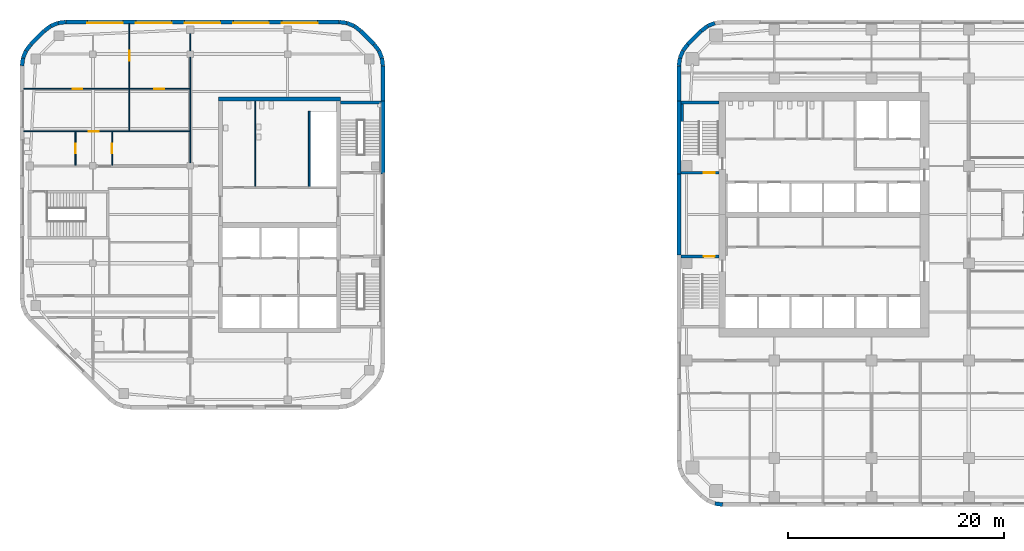
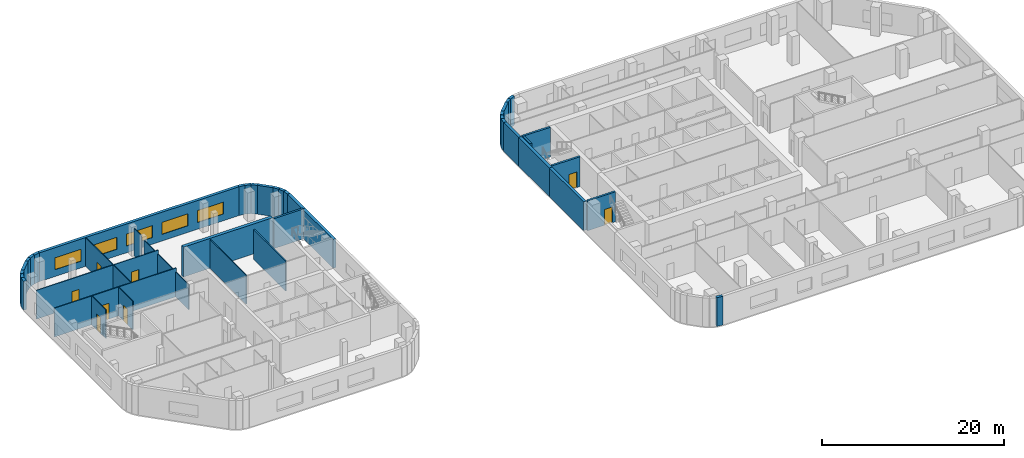
# One storey, part 7 of 15: 45 walls, 8 doors, 5 windows, 13 openings.
"""IFC4 building model written with IfcOpenShell, lengths in metres."""

from ifc_helpers import new_model, si_unit, direction, frame, frame_2d, origin, place, context, subcontext, project, spatial, rectangle, extrude, material, layer, layer_set, type_object, element, fill, save


model = new_model("IFC4")

# Units and contexts
model_context = context("Model", 3, precision=1e-05, world=origin(), true_north=direction((0.0, 1.0)))
body_context = subcontext(model_context, "Body", "Model", "MODEL_VIEW")
ifc_project = project(units=[si_unit("LENGTHUNIT", "METRE"), si_unit("AREAUNIT", "SQUARE_METRE"), si_unit("VOLUMEUNIT", "CUBIC_METRE"), si_unit("PLANEANGLEUNIT", "RADIAN"), si_unit("MASSUNIT", "GRAM", prefix="KILO")], contexts=[model_context])

# Site, building, storey
site_placement = place(None, origin())
site = spatial("IfcSite", under=ifc_project, at=site_placement, CompositionType="ELEMENT")
building_placement = place(site_placement, origin())
building = spatial("IfcBuilding", under=site, at=building_placement, Name="Cinnabar Reach Civic Tower", CompositionType="ELEMENT")
storey_placement = place(building_placement, frame((0.0, 0.0, 120.0)))
storey = spatial("IfcBuildingStorey", under=building, at=storey_placement, Name="L28", CompositionType="ELEMENT", Elevation=120.0)

# Walls
ifc_material_1 = material(Name="Facing brick with insulated backing", Category="masonry")
ifc_layer_1 = layer(ifc_material_1, 0.36)
ifc_layer_set_1 = layer_set([ifc_layer_1], Name="Brick corner wall")
wall_type_1 = type_object("IfcWallType", Name="Brick corner wall", PredefinedType="STANDARD", material=ifc_layer_set_1)
wall_1_placement = place(storey_placement, frame((3.5027, 49.2181, 0.0), z_axis=(0.0, 0.0, 1.0), x_axis=(-0.923871547278, -0.382702709855, 0.0)))
element("IfcWall", 1, at=wall_1_placement, inside=storey, type_object=wall_type_1, Name="Brick corner wall", PredefinedType="STANDARD", context=body_context, shape_type="SweptSolid", body=[
    extrude(rectangle(XDim=0.7131, YDim=0.36, at=frame_2d((0.3565, 0.0))), origin(), (0.0, 0.0, 1.0), 3.85),
])
for number, where, z_axis, x_axis, name in (
    (2, (2.8245, 48.934, 0.0), (0.0, 0.0, 1.0), (-0.793321924995, -0.608802368033, 0.0), "Brick corner wall"),
    (3, (1.0002, 47.2413, 0.0), (0.0, 0.0, 1.0), (-0.608802368033, -0.793321924995, 0.0), "Brick corner wall"),
):
    element("IfcWall", number, at=place(storey_placement, frame(where, z_axis=z_axis, x_axis=x_axis)), inside=storey, type_object=wall_type_1, Name=name, PredefinedType="STANDARD", context=body_context, shape_type="SweptSolid", body=[
        extrude(rectangle(XDim=0.7132, YDim=0.36, at=frame_2d((0.3566, 0.0))), origin(), (0.0, 0.0, 1.0), 3.85),
    ])
for number, where, z_axis, x_axis, name in (
    (4, (0.5548, 46.6561, 0.0), (0.0, 0.0, 1.0), (-0.382702709855, -0.923871547278, 0.0), "Brick corner wall"),
    (5, (0.2761, 45.9756, 0.0), (0.0, 0.0, 1.0), (-0.13055608231, -0.99144092581, 0.0), "Brick corner wall"),
    (6, (3.5244, 4.7761, 0.0), (0.0, 0.0, 1.0), (0.99144092581, -0.13055608231, 0.0), "Brick corner wall"),
    (7, (-27.183, 45.2686, 0.0), (0.0, 0.0, 1.0), (-0.13055608231, 0.99144092581, 0.0), "Brick corner wall"),
    (8, (-27.2819, 45.9973, 0.0), (0.0, 0.0, 1.0), (-0.382702709855, 0.923871547278, 0.0), "Brick corner wall"),
):
    element("IfcWall", number, at=place(storey_placement, frame(where, z_axis=z_axis, x_axis=x_axis)), inside=storey, type_object=wall_type_1, Name=name, PredefinedType="STANDARD", context=body_context, shape_type="SweptSolid", body=[
        extrude(rectangle(XDim=0.7131, YDim=0.36, at=frame_2d((0.3565, 0.0))), origin(), (0.0, 0.0, 1.0), 3.85),
    ])
for number, where, z_axis, x_axis, name in (
    (9, (-27.566, 46.6755, 0.0), (0.0, 0.0, 1.0), (-0.608802368033, 0.793321924995, 0.0), "Brick corner wall"),
    (10, (-29.2587, 48.4998, 0.0), (0.0, 0.0, 1.0), (-0.793321924995, 0.608802368033, 0.0), "Brick corner wall"),
):
    element("IfcWall", number, at=place(storey_placement, frame(where, z_axis=z_axis, x_axis=x_axis)), inside=storey, type_object=wall_type_1, Name=name, PredefinedType="STANDARD", context=body_context, shape_type="SweptSolid", body=[
        extrude(rectangle(XDim=0.7132, YDim=0.36, at=frame_2d((0.3566, 0.0))), origin(), (0.0, 0.0, 1.0), 3.85),
    ])
for number, where, z_axis, x_axis, name in (
    (11, (-29.8439, 48.9452, 0.0), (0.0, 0.0, 1.0), (-0.923871547278, 0.382702709855, 0.0), "Brick corner wall"),
    (12, (-30.5244, 49.2239, 0.0), (0.0, 0.0, 1.0), (-0.99144092581, 0.13055608231, 0.0), "Brick corner wall"),
    (13, (-56.5186, 49.317, 0.0), (0.0, 0.0, 1.0), (-0.99144092581, -0.13055608231, 0.0), "Brick corner wall"),
    (14, (-57.2473, 49.2181, 0.0), (0.0, 0.0, 1.0), (-0.923871547278, -0.382702709855, 0.0), "Brick corner wall"),
):
    element("IfcWall", number, at=place(storey_placement, frame(where, z_axis=z_axis, x_axis=x_axis)), inside=storey, type_object=wall_type_1, Name=name, PredefinedType="STANDARD", context=body_context, shape_type="SweptSolid", body=[
        extrude(rectangle(XDim=0.7131, YDim=0.36, at=frame_2d((0.3565, 0.0))), origin(), (0.0, 0.0, 1.0), 3.85),
    ])
for number, where, z_axis, x_axis, name in (
    (15, (-57.9255, 48.934, 0.0), (0.0, 0.0, 1.0), (-0.793321924995, -0.608802368033, 0.0), "Brick corner wall"),
    (16, (-59.7498, 47.2413, 0.0), (0.0, 0.0, 1.0), (-0.608802368033, -0.793321924995, 0.0), "Brick corner wall"),
):
    element("IfcWall", number, at=place(storey_placement, frame(where, z_axis=z_axis, x_axis=x_axis)), inside=storey, type_object=wall_type_1, Name=name, PredefinedType="STANDARD", context=body_context, shape_type="SweptSolid", body=[
        extrude(rectangle(XDim=0.7132, YDim=0.36, at=frame_2d((0.3566, 0.0))), origin(), (0.0, 0.0, 1.0), 3.85),
    ])
for number, where, z_axis, x_axis, name in (
    (17, (-60.1952, 46.6561, 0.0), (0.0, 0.0, 1.0), (-0.382702709855, -0.923871547278, 0.0), "Brick corner wall"),
    (18, (-60.4739, 45.9756, 0.0), (0.0, 0.0, 1.0), (-0.13055608231, -0.99144092581, 0.0), "Brick corner wall"),
):
    element("IfcWall", number, at=place(storey_placement, frame(where, z_axis=z_axis, x_axis=x_axis)), inside=storey, type_object=wall_type_1, Name=name, PredefinedType="STANDARD", context=body_context, shape_type="SweptSolid", body=[
        extrude(rectangle(XDim=0.7131, YDim=0.36, at=frame_2d((0.3565, 0.0))), origin(), (0.0, 0.0, 1.0), 3.85),
    ])
ifc_layer_2 = layer(ifc_material_1, 0.36)
ifc_layer_set_2 = layer_set([ifc_layer_2], Name="Brick pier and spandrel wall")
wall_type_2 = type_object("IfcWallType", Name="Brick pier and spandrel wall", PredefinedType="STANDARD", material=ifc_layer_set_2)
wall_2_placement = place(storey_placement, frame((2.2486, 48.494, 0.0), z_axis=(0.0, 0.0, 1.0), x_axis=(-0.707106781187, -0.707106781187, 0.0)))
element("IfcWall", 19, at=wall_2_placement, inside=storey, type_object=wall_type_2, Name="Brick facade wall", PredefinedType="STANDARD", context=body_context, shape_type="SweptSolid", body=[
    extrude(rectangle(XDim=1.7573, YDim=0.36, at=frame_2d((0.8787, 0.0))), origin(), (0.0, 0.0, 1.0), 3.85),
])
wall_3_placement = place(storey_placement, frame((0.18, 45.2574, 0.0), z_axis=(0.0, 0.0, 1.0), x_axis=(0.0, -1.0, 0.0)))
element("IfcWall", 20, at=wall_3_placement, inside=storey, type_object=wall_type_2, Name="Brick facade wall", PredefinedType="STANDARD", context=body_context, shape_type="SweptSolid", body=[
    extrude(rectangle(XDim=3.2574, YDim=0.36, at=frame_2d((1.6287, 0.0))), origin(), (0.0, 0.0, 1.0), 3.85),
])
wall_4_placement = place(storey_placement, frame((0.18, 42.0, 0.0), z_axis=(0.0, 0.0, 1.0), x_axis=(0.0, -1.0, 0.0)))
element("IfcWall", 21, at=wall_4_placement, inside=storey, type_object=wall_type_2, Name="Brick facade wall", PredefinedType="STANDARD", context=body_context, shape_type="SweptSolid", body=[
    extrude(rectangle(XDim=6.75, YDim=0.36, at=frame_2d((3.375, 0.0))), origin(), (0.0, 0.0, 1.0), 3.85),
])
wall_5_placement = place(storey_placement, frame((0.18, 35.25, 0.0), z_axis=(0.0, 0.0, 1.0), x_axis=(0.0, -1.0, 0.0)))
element("IfcWall", 22, at=wall_5_placement, inside=storey, type_object=wall_type_2, Name="Brick facade wall", PredefinedType="STANDARD", context=body_context, shape_type="SweptSolid", body=[
    extrude(rectangle(XDim=7.5, YDim=0.36, at=frame_2d((3.75, 0.0))), origin(), (0.0, 0.0, 1.0), 3.85),
])
wall_6_placement = place(storey_placement, frame((-27.18, 35.25, 0.0), z_axis=(0.0, 0.0, 1.0), x_axis=(0.0, 1.0, 0.0)))
element("IfcWall", 23, at=wall_6_placement, inside=storey, type_object=wall_type_2, Name="Brick facade wall", PredefinedType="STANDARD", context=body_context, shape_type="SweptSolid", body=[
    extrude(rectangle(XDim=6.75, YDim=0.36, at=frame_2d((3.375, 0.0))), origin(), (0.0, 0.0, 1.0), 3.85),
])
wall_7_placement = place(storey_placement, frame((-27.18, 42.0, 0.0), z_axis=(0.0, 0.0, 1.0), x_axis=(0.0, 1.0, 0.0)))
element("IfcWall", 24, at=wall_7_placement, inside=storey, type_object=wall_type_2, Name="Brick facade wall", PredefinedType="STANDARD", context=body_context, shape_type="SweptSolid", body=[
    extrude(rectangle(XDim=3.2574, YDim=0.36, at=frame_2d((1.6287, 0.0))), origin(), (0.0, 0.0, 1.0), 3.85),
])
wall_8_placement = place(storey_placement, frame((-28.006, 47.2514, 0.0), z_axis=(0.0, 0.0, 1.0), x_axis=(-0.707106781187, 0.707106781187, 0.0)))
element("IfcWall", 25, at=wall_8_placement, inside=storey, type_object=wall_type_2, Name="Brick facade wall", PredefinedType="STANDARD", context=body_context, shape_type="SweptSolid", body=[
    extrude(rectangle(XDim=1.7573, YDim=0.36, at=frame_2d((0.8787, 0.0))), origin(), (0.0, 0.0, 1.0), 3.85),
])

# Wall, openings, windows
wall_9_placement = place(storey_placement, frame((-31.2426, 49.32, 0.0), z_axis=(0.0, 0.0, 1.0), x_axis=(-1.0, 0.0, 0.0)))
wall_9 = element("IfcWall", 26, at=wall_9_placement, inside=storey, type_object=wall_type_2, Name="Brick facade wall", PredefinedType="STANDARD", context=body_context, shape_type="SweptSolid", body=[
    extrude(rectangle(XDim=25.2648, YDim=0.36, at=frame_2d((12.6324, 0.0))), origin(), (0.0, 0.0, 1.0), 3.85),
])
opening_1_placement = place(wall_9_placement, frame((1.9824, 0.0, 0.9)))
opening_1 = element("IfcOpeningElement", 27, at=opening_1_placement, cuts=wall_9, Name="Opening W2741", PredefinedType="OPENING", context=body_context, shape_type="SweptSolid", body=[
    extrude(rectangle(XDim=3.3, YDim=1.6, at=frame_2d((1.65, 0.8))), frame((0.0, 0.19, 0.0), z_axis=(0.0, -1.0, 0.0), x_axis=(1.0, 0.0, 0.0)), (0.0, 0.0, 1.0), 0.38),
])
opening_2_placement = place(wall_9_placement, frame((6.4824, 0.0, 0.9)))
opening_2 = element("IfcOpeningElement", 28, at=opening_2_placement, cuts=wall_9, Name="Opening W2742", PredefinedType="OPENING", context=body_context, shape_type="SweptSolid", body=[
    extrude(rectangle(XDim=3.3, YDim=1.6, at=frame_2d((1.65, 0.8))), frame((0.0, 0.19, 0.0), z_axis=(0.0, -1.0, 0.0), x_axis=(1.0, 0.0, 0.0)), (0.0, 0.0, 1.0), 0.38),
])
opening_3_placement = place(wall_9_placement, frame((10.9824, 0.0, 0.9)))
opening_3 = element("IfcOpeningElement", 29, at=opening_3_placement, cuts=wall_9, Name="Opening W2743", PredefinedType="OPENING", context=body_context, shape_type="SweptSolid", body=[
    extrude(rectangle(XDim=3.3, YDim=1.6, at=frame_2d((1.65, 0.8))), frame((0.0, 0.19, 0.0), z_axis=(0.0, -1.0, 0.0), x_axis=(1.0, 0.0, 0.0)), (0.0, 0.0, 1.0), 0.38),
])
opening_4_placement = place(wall_9_placement, frame((15.4824, 0.0, 0.9)))
opening_4 = element("IfcOpeningElement", 30, at=opening_4_placement, cuts=wall_9, Name="Opening W2744", PredefinedType="OPENING", context=body_context, shape_type="SweptSolid", body=[
    extrude(rectangle(XDim=3.3, YDim=1.6, at=frame_2d((1.65, 0.8))), frame((0.0, 0.19, 0.0), z_axis=(0.0, -1.0, 0.0), x_axis=(1.0, 0.0, 0.0)), (0.0, 0.0, 1.0), 0.38),
])
opening_5_placement = place(wall_9_placement, frame((19.9824, 0.0, 0.9)))
opening_5 = element("IfcOpeningElement", 31, at=opening_5_placement, cuts=wall_9, Name="Opening W2745", PredefinedType="OPENING", context=body_context, shape_type="SweptSolid", body=[
    extrude(rectangle(XDim=3.3, YDim=1.6, at=frame_2d((1.65, 0.8))), frame((0.0, 0.19, 0.0), z_axis=(0.0, -1.0, 0.0), x_axis=(1.0, 0.0, 0.0)), (0.0, 0.0, 1.0), 0.38),
])
ifc_material_2 = material(Name="Clear double glazing in aluminium frame", Category="aluminium")
window_type = type_object("IfcWindowType", Name="Deep-set window A", PartitioningType="SINGLE_PANEL", PredefinedType="WINDOW", material=ifc_material_2)
window_1_placement = place(opening_1_placement, origin())
window_1 = element("IfcWindow", 32, at=window_1_placement, inside=storey, type_object=window_type, Name="Window north face", OverallHeight=1.6, OverallWidth=3.3, PartitioningType="SINGLE_PANEL", PredefinedType="WINDOW", context=body_context, shape_type="SweptSolid", body=[
    extrude(rectangle(XDim=3.3, YDim=1.6, at=frame_2d((1.65, 0.8))), frame((0.0, 0.13, 0.0), z_axis=(0.0, -1.0, 0.0), x_axis=(1.0, 0.0, 0.0)), (0.0, 0.0, 1.0), 0.06),
])
fill(opening_1, window_1)
window_2_placement = place(opening_2_placement, origin())
window_2 = element("IfcWindow", 33, at=window_2_placement, inside=storey, type_object=window_type, Name="Window north face", OverallHeight=1.6, OverallWidth=3.3, PartitioningType="SINGLE_PANEL", PredefinedType="WINDOW", context=body_context, shape_type="SweptSolid", body=[
    extrude(rectangle(XDim=3.3, YDim=1.6, at=frame_2d((1.65, 0.8))), frame((0.0, 0.13, 0.0), z_axis=(0.0, -1.0, 0.0), x_axis=(1.0, 0.0, 0.0)), (0.0, 0.0, 1.0), 0.06),
])
fill(opening_2, window_2)
window_3_placement = place(opening_3_placement, origin())
window_3 = element("IfcWindow", 34, at=window_3_placement, inside=storey, type_object=window_type, Name="Window north face", OverallHeight=1.6, OverallWidth=3.3, PartitioningType="SINGLE_PANEL", PredefinedType="WINDOW", context=body_context, shape_type="SweptSolid", body=[
    extrude(rectangle(XDim=3.3, YDim=1.6, at=frame_2d((1.65, 0.8))), frame((0.0, 0.13, 0.0), z_axis=(0.0, -1.0, 0.0), x_axis=(1.0, 0.0, 0.0)), (0.0, 0.0, 1.0), 0.06),
])
fill(opening_3, window_3)
window_4_placement = place(opening_4_placement, origin())
window_4 = element("IfcWindow", 35, at=window_4_placement, inside=storey, type_object=window_type, Name="Window north face", OverallHeight=1.6, OverallWidth=3.3, PartitioningType="SINGLE_PANEL", PredefinedType="WINDOW", context=body_context, shape_type="SweptSolid", body=[
    extrude(rectangle(XDim=3.3, YDim=1.6, at=frame_2d((1.65, 0.8))), frame((0.0, 0.13, 0.0), z_axis=(0.0, -1.0, 0.0), x_axis=(1.0, 0.0, 0.0)), (0.0, 0.0, 1.0), 0.06),
])
fill(opening_4, window_4)
window_5_placement = place(opening_5_placement, origin())
window_5 = element("IfcWindow", 36, at=window_5_placement, inside=storey, type_object=window_type, Name="Window north face", OverallHeight=1.6, OverallWidth=3.3, PartitioningType="SINGLE_PANEL", PredefinedType="WINDOW", context=body_context, shape_type="SweptSolid", body=[
    extrude(rectangle(XDim=3.3, YDim=1.6, at=frame_2d((1.65, 0.8))), frame((0.0, 0.13, 0.0), z_axis=(0.0, -1.0, 0.0), x_axis=(1.0, 0.0, 0.0)), (0.0, 0.0, 1.0), 0.06),
])
fill(opening_5, window_5)

# Walls
wall_10_placement = place(storey_placement, frame((-58.5014, 48.494, 0.0), z_axis=(0.0, 0.0, 1.0), x_axis=(-0.707106781187, -0.707106781187, 0.0)))
element("IfcWall", 37, at=wall_10_placement, inside=storey, type_object=wall_type_2, Name="Brick facade wall", PredefinedType="STANDARD", context=body_context, shape_type="SweptSolid", body=[
    extrude(rectangle(XDim=1.7573, YDim=0.36, at=frame_2d((0.8787, 0.0))), origin(), (0.0, 0.0, 1.0), 3.85),
])
ifc_material_3 = material(Name="Concrete C60", Category="concrete")
ifc_layer_3 = layer(ifc_material_3, 0.4)
ifc_layer_set_3 = layer_set([ifc_layer_3], Name="Core wall 400 EI 180")
wall_type_3 = type_object("IfcWallType", Name="Core wall 400 EI 180", PredefinedType="SOLIDWALL", material=ifc_layer_set_3)
wall_11_placement = place(storey_placement, frame((-31.1, 42.2, 0.0), z_axis=(0.0, 0.0, 1.0), x_axis=(-1.0, 0.0, 0.0)))
element("IfcWall", 38, at=wall_11_placement, inside=storey, type_object=wall_type_3, Name="Core wall T2 L28 N", PredefinedType="SOLIDWALL", context=body_context, shape_type="SweptSolid", body=[
    extrude(rectangle(XDim=11.3, YDim=0.4, at=frame_2d((5.65, 0.0))), origin(), (0.0, 0.0, 1.0), 4.0),
])

# Wall, opening, door
ifc_material_4 = material(Name="Gypsum board on steel studs", Category="steel")
ifc_layer_4 = layer(ifc_material_4, 0.1)
ifc_layer_set_4 = layer_set([ifc_layer_4], Name="Partition wall 100 T2")
wall_type_4 = type_object("IfcWallType", Name="Partition wall 100 T2", PredefinedType="PARTITIONING", material=ifc_layer_set_4)
wall_12_placement = place(storey_placement, frame((-60.39, 39.2, 0.0), z_axis=(0.0, 0.0, 1.0), x_axis=(1.0, 0.0, 0.0)))
wall_12 = element("IfcWall", 39, at=wall_12_placement, inside=storey, type_object=wall_type_4, Name="Partition wall 9", PredefinedType="PARTITIONING", context=body_context, shape_type="SweptSolid", body=[
    extrude(rectangle(XDim=15.44, YDim=0.1, at=frame_2d((7.72, 0.0))), origin(), (0.0, 0.0, 1.0), 3.85),
])
opening_6_placement = place(wall_12_placement, frame((6.0209, 0.0, 0.0)))
opening_6 = element("IfcOpeningElement", 40, at=opening_6_placement, cuts=wall_12, Name="Opening D7031", PredefinedType="OPENING", context=body_context, shape_type="SweptSolid", body=[
    extrude(rectangle(XDim=0.9, YDim=2.1, at=frame_2d((0.45, 1.05))), frame((0.0, 0.06, 0.0), z_axis=(0.0, -1.0, 0.0), x_axis=(1.0, 0.0, 0.0)), (0.0, 0.0, 1.0), 0.12),
])
ifc_material_5 = material(Name="Timber door leaf in steel frame", Category="steel")
door_type_1 = type_object("IfcDoorType", Name="Single swing door 900 x 2100 T2", OperationType="SINGLE_SWING_LEFT", PredefinedType="DOOR", material=ifc_material_5)
door_1_placement = place(opening_6_placement, frame((0.9, 0.0, 0.0), z_axis=(0.0, 0.0, 1.0), x_axis=(-1.0, 0.0, 0.0)))
door_1 = element("IfcDoor", 41, at=door_1_placement, inside=storey, type_object=door_type_1, Name="Door D7031", OperationType="SINGLE_SWING_LEFT", OverallHeight=2.1, OverallWidth=0.9, PredefinedType="DOOR", context=body_context, shape_type="SweptSolid", body=[
    extrude(rectangle(XDim=0.9, YDim=2.1, at=frame_2d((0.45, 1.05))), frame((0.0, 0.025, 0.0), z_axis=(0.0, -1.0, 0.0), x_axis=(1.0, 0.0, 0.0)), (0.0, 0.0, 1.0), 0.05),
])
fill(opening_6, door_1)

# Wall, openings, doors
wall_13_placement = place(storey_placement, frame((-60.39, 43.1365, 0.0), z_axis=(0.0, 0.0, 1.0), x_axis=(1.0, 0.0, 0.0)))
wall_13 = element("IfcWall", 42, at=wall_13_placement, inside=storey, type_object=wall_type_4, Name="Partition wall 10", PredefinedType="PARTITIONING", context=body_context, shape_type="SweptSolid", body=[
    extrude(rectangle(XDim=15.44, YDim=0.1, at=frame_2d((7.72, 0.0))), origin(), (0.0, 0.0, 1.0), 3.85),
])
opening_7_placement = place(wall_13_placement, frame((4.5, 0.0, 0.0)))
opening_7 = element("IfcOpeningElement", 43, at=opening_7_placement, cuts=wall_13, Name="Opening D7033", PredefinedType="OPENING", context=body_context, shape_type="SweptSolid", body=[
    extrude(rectangle(XDim=0.9, YDim=2.1, at=frame_2d((0.45, 1.05))), frame((0.0, 0.06, 0.0), z_axis=(0.0, -1.0, 0.0), x_axis=(1.0, 0.0, 0.0)), (0.0, 0.0, 1.0), 0.12),
])
opening_8_placement = place(wall_13_placement, frame((12.06, 0.0, 0.0)))
opening_8 = element("IfcOpeningElement", 44, at=opening_8_placement, cuts=wall_13, Name="Opening D7034", PredefinedType="OPENING", context=body_context, shape_type="SweptSolid", body=[
    extrude(rectangle(XDim=0.9, YDim=2.1, at=frame_2d((0.45, 1.05))), frame((0.0, 0.06, 0.0), z_axis=(0.0, -1.0, 0.0), x_axis=(1.0, 0.0, 0.0)), (0.0, 0.0, 1.0), 0.12),
])
door_2_placement = place(opening_7_placement, frame((0.9, 0.0, 0.0), z_axis=(0.0, 0.0, 1.0), x_axis=(-1.0, 0.0, 0.0)))
door_2 = element("IfcDoor", 45, at=door_2_placement, inside=storey, type_object=door_type_1, Name="Door D7033", OperationType="SINGLE_SWING_RIGHT", OverallHeight=2.1, OverallWidth=0.9, PredefinedType="DOOR", context=body_context, shape_type="SweptSolid", body=[
    extrude(rectangle(XDim=0.9, YDim=2.1, at=frame_2d((0.45, 1.05))), frame((0.0, 0.025, 0.0), z_axis=(0.0, -1.0, 0.0), x_axis=(1.0, 0.0, 0.0)), (0.0, 0.0, 1.0), 0.05),
])
fill(opening_7, door_2)
door_3_placement = place(opening_8_placement, origin())
door_3 = element("IfcDoor", 46, at=door_3_placement, inside=storey, type_object=door_type_1, Name="Door D7034", OperationType="SINGLE_SWING_LEFT", OverallHeight=2.1, OverallWidth=0.9, PredefinedType="DOOR", context=body_context, shape_type="SweptSolid", body=[
    extrude(rectangle(XDim=0.9, YDim=2.1, at=frame_2d((0.45, 1.05))), frame((0.0, 0.025, 0.0), z_axis=(0.0, -1.0, 0.0), x_axis=(1.0, 0.0, 0.0)), (0.0, 0.0, 1.0), 0.05),
])
fill(opening_8, door_3)

# Walls
wall_14_placement = place(storey_placement, frame((-45.0, 43.1865, 0.0), z_axis=(0.0, 0.0, 1.0), x_axis=(0.0, 1.0, 0.0)))
element("IfcWall", 47, at=wall_14_placement, inside=storey, type_object=wall_type_4, Name="Partition wall 11", PredefinedType="PARTITIONING", context=body_context, shape_type="SweptSolid", body=[
    extrude(rectangle(XDim=2.8635, YDim=0.1, at=frame_2d((1.4318, 0.0))), origin(), (0.0, 0.0, 1.0), 3.362),
])
wall_15_placement = place(storey_placement, frame((-45.0, 39.25, 0.0), z_axis=(0.0, 0.0, 1.0), x_axis=(0.0, 1.0, 0.0)))
element("IfcWall", 48, at=wall_15_placement, inside=storey, type_object=wall_type_4, Name="Partition wall 12", PredefinedType="PARTITIONING", context=body_context, shape_type="SweptSolid", body=[
    extrude(rectangle(XDim=3.8365, YDim=0.1, at=frame_2d((1.9183, 0.0))), origin(), (0.0, 0.0, 1.0), 3.362),
])
wall_16_placement = place(storey_placement, frame((-45.0, 36.3, 0.0), z_axis=(0.0, 0.0, 1.0), x_axis=(0.0, 1.0, 0.0)))
element("IfcWall", 49, at=wall_16_placement, inside=storey, type_object=wall_type_4, Name="Partition wall 13", PredefinedType="PARTITIONING", context=body_context, shape_type="SweptSolid", body=[
    extrude(rectangle(XDim=2.85, YDim=0.1, at=frame_2d((1.425, 0.0))), origin(), (0.0, 0.0, 1.0), 3.362),
])
wall_17_placement = place(storey_placement, frame((-45.0, 46.65, 0.0), z_axis=(0.0, 0.0, 1.0), x_axis=(0.0, 1.0, 0.0)))
element("IfcWall", 50, at=wall_17_placement, inside=storey, type_object=wall_type_4, Name="Partition wall 14", PredefinedType="PARTITIONING", context=body_context, shape_type="SweptSolid", body=[
    extrude(rectangle(XDim=1.6, YDim=0.1, at=frame_2d((0.8, 0.0))), origin(), (0.0, 0.0, 1.0), 3.652),
])
wall_18_placement = place(storey_placement, frame((-50.63, 39.25, 0.0), z_axis=(0.0, 0.0, 1.0), x_axis=(0.0, 1.0, 0.0)))
element("IfcWall", 51, at=wall_18_placement, inside=storey, type_object=wall_type_4, Name="Partition wall 15", PredefinedType="PARTITIONING", context=body_context, shape_type="SweptSolid", body=[
    extrude(rectangle(XDim=3.8365, YDim=0.1, at=frame_2d((1.9183, 0.0))), origin(), (0.0, 0.0, 1.0), 3.85),
])

# Wall, opening, door
wall_19_placement = place(storey_placement, frame((-50.63, 43.1865, 0.0), z_axis=(0.0, 0.0, 1.0), x_axis=(0.0, 1.0, 0.0)))
wall_19 = element("IfcWall", 52, at=wall_19_placement, inside=storey, type_object=wall_type_4, Name="Partition wall 16", PredefinedType="PARTITIONING", context=body_context, shape_type="SweptSolid", body=[
    extrude(rectangle(XDim=5.9535, YDim=0.1, at=frame_2d((2.9768, 0.0))), origin(), (0.0, 0.0, 1.0), 3.85),
])
opening_9_placement = place(wall_19_placement, frame((2.55, 0.0, 0.0)))
opening_9 = element("IfcOpeningElement", 53, at=opening_9_placement, cuts=wall_19, Name="Opening D7032", PredefinedType="OPENING", context=body_context, shape_type="SweptSolid", body=[
    extrude(rectangle(XDim=0.9, YDim=2.1, at=frame_2d((0.45, 1.05))), frame((0.0, 0.06, 0.0), z_axis=(0.0, -1.0, 0.0), x_axis=(1.0, 0.0, 0.0)), (0.0, 0.0, 1.0), 0.12),
])
door_4_placement = place(opening_9_placement, frame((0.9, 0.0, 0.0), z_axis=(0.0, 0.0, 1.0), x_axis=(-1.0, 0.0, 0.0)))
door_4 = element("IfcDoor", 54, at=door_4_placement, inside=storey, type_object=door_type_1, Name="Door D7032", OperationType="SINGLE_SWING_LEFT", OverallHeight=2.1, OverallWidth=0.9, PredefinedType="DOOR", context=body_context, shape_type="SweptSolid", body=[
    extrude(rectangle(XDim=0.9, YDim=2.1, at=frame_2d((0.45, 1.05))), frame((0.0, 0.025, 0.0), z_axis=(0.0, -1.0, 0.0), x_axis=(1.0, 0.0, 0.0)), (0.0, 0.0, 1.0), 0.05),
])
fill(opening_9, door_4)

wall_20_placement = place(storey_placement, frame((-55.6191, 36.075, 0.0), z_axis=(0.0, 0.0, 1.0), x_axis=(0.0, 1.0, 0.0)))
wall_20 = element("IfcWall", 55, at=wall_20_placement, inside=storey, type_object=wall_type_4, Name="Partition wall 26", PredefinedType="PARTITIONING", context=body_context, shape_type="SweptSolid", body=[
    extrude(rectangle(XDim=3.075, YDim=0.1, at=frame_2d((1.5375, 0.0))), origin(), (0.0, 0.0, 1.0), 3.85),
])
opening_10_placement = place(wall_20_placement, frame((1.1, 0.0, 0.0)))
opening_10 = element("IfcOpeningElement", 56, at=opening_10_placement, cuts=wall_20, Name="Opening D7029", PredefinedType="OPENING", context=body_context, shape_type="SweptSolid", body=[
    extrude(rectangle(XDim=0.9, YDim=2.1, at=frame_2d((0.45, 1.05))), frame((0.0, 0.06, 0.0), z_axis=(0.0, -1.0, 0.0), x_axis=(1.0, 0.0, 0.0)), (0.0, 0.0, 1.0), 0.12),
])
door_5_placement = place(opening_10_placement, origin())
door_5 = element("IfcDoor", 57, at=door_5_placement, inside=storey, type_object=door_type_1, Name="Door D7029", OperationType="SINGLE_SWING_LEFT", OverallHeight=2.1, OverallWidth=0.9, PredefinedType="DOOR", context=body_context, shape_type="SweptSolid", body=[
    extrude(rectangle(XDim=0.9, YDim=2.1, at=frame_2d((0.45, 1.05))), frame((0.0, 0.025, 0.0), z_axis=(0.0, -1.0, 0.0), x_axis=(1.0, 0.0, 0.0)), (0.0, 0.0, 1.0), 0.05),
])
fill(opening_10, door_5)

wall_21_placement = place(storey_placement, frame((-52.2333, 36.075, 0.0), z_axis=(0.0, 0.0, 1.0), x_axis=(0.0, 1.0, 0.0)))
wall_21 = element("IfcWall", 58, at=wall_21_placement, inside=storey, type_object=wall_type_4, Name="Partition wall 27", PredefinedType="PARTITIONING", context=body_context, shape_type="SweptSolid", body=[
    extrude(rectangle(XDim=3.075, YDim=0.1, at=frame_2d((1.5375, 0.0))), origin(), (0.0, 0.0, 1.0), 3.85),
])
opening_11_placement = place(wall_21_placement, frame((1.1, 0.0, 0.0)))
opening_11 = element("IfcOpeningElement", 59, at=opening_11_placement, cuts=wall_21, Name="Opening D7030", PredefinedType="OPENING", context=body_context, shape_type="SweptSolid", body=[
    extrude(rectangle(XDim=0.9, YDim=2.1, at=frame_2d((0.45, 1.05))), frame((0.0, 0.06, 0.0), z_axis=(0.0, -1.0, 0.0), x_axis=(1.0, 0.0, 0.0)), (0.0, 0.0, 1.0), 0.12),
])
door_6_placement = place(opening_11_placement, origin())
door_6 = element("IfcDoor", 60, at=door_6_placement, inside=storey, type_object=door_type_1, Name="Door D7030", OperationType="SINGLE_SWING_LEFT", OverallHeight=2.1, OverallWidth=0.9, PredefinedType="DOOR", context=body_context, shape_type="SweptSolid", body=[
    extrude(rectangle(XDim=0.9, YDim=2.1, at=frame_2d((0.45, 1.05))), frame((0.0, 0.025, 0.0), z_axis=(0.0, -1.0, 0.0), x_axis=(1.0, 0.0, 0.0)), (0.0, 0.0, 1.0), 0.05),
])
fill(opening_11, door_6)

ifc_layer_5 = layer(ifc_material_3, 0.25)
ifc_layer_set_5 = layer_set([ifc_layer_5], Name="Stair shaft wall 250 EI 120")
wall_type_5 = type_object("IfcWallType", Name="Stair shaft wall 250 EI 120", PredefinedType="SOLIDWALL", material=ifc_layer_set_5)
wall_22_placement = place(storey_placement, frame((3.9, 27.625, 0.0), z_axis=(0.0, 0.0, 1.0), x_axis=(-1.0, 0.0, 0.0)))
wall_22 = element("IfcWall", 61, at=wall_22_placement, inside=storey, type_object=wall_type_5, Name="Stair shaft wall T1-S1 L28", PredefinedType="SOLIDWALL", context=body_context, shape_type="SweptSolid", body=[
    extrude(rectangle(XDim=3.54, YDim=0.25, at=frame_2d((1.77, 0.0))), origin(), (0.0, 0.0, 1.0), 4.0),
])
opening_12_placement = place(wall_22_placement, frame((0.4, 0.0, 0.0)))
opening_12 = element("IfcOpeningElement", 62, at=opening_12_placement, cuts=wall_22, Name="Opening D4127", PredefinedType="OPENING", context=body_context, shape_type="SweptSolid", body=[
    extrude(rectangle(XDim=1.0, YDim=2.1, at=frame_2d((0.5, 1.05))), frame((0.0, 0.135, 0.0), z_axis=(0.0, -1.0, 0.0), x_axis=(1.0, 0.0, 0.0)), (0.0, 0.0, 1.0), 0.27),
])
door_type_2 = type_object("IfcDoorType", Name="Stair door 1000 x 2100 T1", OperationType="SINGLE_SWING_LEFT", PredefinedType="DOOR", material=ifc_material_5)
door_7_placement = place(opening_12_placement, origin())
door_7 = element("IfcDoor", 63, at=door_7_placement, inside=storey, type_object=door_type_2, Name="Door D4127", OperationType="SINGLE_SWING_LEFT", OverallHeight=2.1, OverallWidth=1.0, PredefinedType="DOOR", context=body_context, shape_type="SweptSolid", body=[
    extrude(rectangle(XDim=1.0, YDim=2.1, at=frame_2d((0.5, 1.05))), frame((0.0, 0.025, 0.0), z_axis=(0.0, -1.0, 0.0), x_axis=(1.0, 0.0, 0.0)), (0.0, 0.0, 1.0), 0.05),
])
fill(opening_12, door_7)

wall_23_placement = place(storey_placement, frame((0.36, 35.375, 0.0), z_axis=(0.0, 0.0, 1.0), x_axis=(1.0, 0.0, 0.0)))
wall_23 = element("IfcWall", 64, at=wall_23_placement, inside=storey, type_object=wall_type_5, Name="Stair shaft wall T1-S2 L28", PredefinedType="SOLIDWALL", context=body_context, shape_type="SweptSolid", body=[
    extrude(rectangle(XDim=3.54, YDim=0.25, at=frame_2d((1.77, 0.0))), origin(), (0.0, 0.0, 1.0), 4.0),
])
opening_13_placement = place(wall_23_placement, frame((2.14, 0.0, 0.0)))
opening_13 = element("IfcOpeningElement", 65, at=opening_13_placement, cuts=wall_23, Name="Opening D4129", PredefinedType="OPENING", context=body_context, shape_type="SweptSolid", body=[
    extrude(rectangle(XDim=1.0, YDim=2.1, at=frame_2d((0.5, 1.05))), frame((0.0, 0.135, 0.0), z_axis=(0.0, -1.0, 0.0), x_axis=(1.0, 0.0, 0.0)), (0.0, 0.0, 1.0), 0.27),
])
door_8_placement = place(opening_13_placement, origin())
door_8 = element("IfcDoor", 66, at=door_8_placement, inside=storey, type_object=door_type_2, Name="Door D4129", OperationType="SINGLE_SWING_RIGHT", OverallHeight=2.1, OverallWidth=1.0, PredefinedType="DOOR", context=body_context, shape_type="SweptSolid", body=[
    extrude(rectangle(XDim=1.0, YDim=2.1, at=frame_2d((0.5, 1.05))), frame((0.0, 0.025, 0.0), z_axis=(0.0, -1.0, 0.0), x_axis=(1.0, 0.0, 0.0)), (0.0, 0.0, 1.0), 0.05),
])
fill(opening_13, door_8)

# Walls
wall_24_placement = place(storey_placement, frame((3.9, 41.875, 0.0), z_axis=(0.0, 0.0, 1.0), x_axis=(-1.0, 0.0, 0.0)))
element("IfcWall", 67, at=wall_24_placement, inside=storey, type_object=wall_type_5, Name="Stair shaft wall T1-S2 L28", PredefinedType="SOLIDWALL", context=body_context, shape_type="SweptSolid", body=[
    extrude(rectangle(XDim=3.54, YDim=0.25, at=frame_2d((1.77, 0.0))), origin(), (0.0, 0.0, 1.0), 4.0),
])
wall_25_placement = place(storey_placement, frame((-27.36, 41.875, 0.0), z_axis=(0.0, 0.0, 1.0), x_axis=(-1.0, 0.0, 0.0)))
element("IfcWall", 68, at=wall_25_placement, inside=storey, type_object=wall_type_5, Name="Stair shaft wall T2-S2 L28", PredefinedType="SOLIDWALL", context=body_context, shape_type="SweptSolid", body=[
    extrude(rectangle(XDim=3.74, YDim=0.25, at=frame_2d((1.87, 0.0))), origin(), (0.0, 0.0, 1.0), 4.0),
])
ifc_material_6 = material(Name="Concrete C40/50", Category="concrete")
ifc_layer_6 = layer(ifc_material_6, 0.24)
ifc_layer_set_6 = layer_set([ifc_layer_6], Name="T1 landing bearer wall 240")
wall_type_6 = type_object("IfcWallType", Name="T1 landing bearer wall 240", PredefinedType="STANDARD", material=ifc_layer_set_6)
wall_26_placement = place(storey_placement, frame((0.48, 40.13, 0.0), z_axis=(0.0, 0.0, 1.0), x_axis=(0.0, 1.0, 0.0)))
element("IfcWall", 69, at=wall_26_placement, inside=storey, type_object=wall_type_6, Name="T1-S2 landing bearer wall", PredefinedType="STANDARD", context=body_context, shape_type="SweptSolid", body=[
    extrude(rectangle(XDim=1.62, YDim=0.24, at=frame_2d((0.81, 0.0))), origin(), (0.0, 0.0, 1.0), 4.0),
])
ifc_material_7 = material(Name="Gypsum board partition")
ifc_layer_7 = layer(ifc_material_7, 0.1)
ifc_layer_set_7 = layer_set([ifc_layer_7], Name="T2 Internal partition 100")
wall_type_7 = type_object("IfcWallType", Name="T2 Internal partition 100", PredefinedType="PARTITIONING", material=ifc_layer_set_7)
wall_27_placement = place(storey_placement, frame((-39.0, 34.075, 0.0), z_axis=(0.0, 0.0, 1.0), x_axis=(0.0, 1.0, 0.0)))
element("IfcWall", 70, at=wall_27_placement, inside=storey, type_object=wall_type_7, Name="T2 Internal partition L28 016", PredefinedType="PARTITIONING", context=body_context, shape_type="SweptSolid", body=[
    extrude(rectangle(XDim=7.925, YDim=0.1, at=frame_2d((3.9625, 0.0))), origin(), (0.0, 0.0, 1.0), 3.85),
])
ifc_material_8 = material(Name="Concrete C40", Category="concrete")
ifc_layer_8 = layer(ifc_material_8, 0.15)
ifc_layer_set_8 = layer_set([ifc_layer_8], Name="T2 Riser wall 150")
wall_type_8 = type_object("IfcWallType", Name="T2 Riser wall 150", PredefinedType="SOLIDWALL", material=ifc_layer_set_8)
wall_28_placement = place(storey_placement, frame((-34.0, 41.075, 0.0), z_axis=(0.0, 0.0, 1.0), x_axis=(0.0, -1.0, 0.0)))
element("IfcWall", 71, at=wall_28_placement, inside=storey, type_object=wall_type_8, Name="T2 Riser wall L28 013", PredefinedType="SOLIDWALL", context=body_context, shape_type="SweptSolid", body=[
    extrude(rectangle(XDim=7.0, YDim=0.15, at=frame_2d((3.5, 0.0))), origin(), (0.0, 0.0, 1.0), 4.0),
])

save(model, "model.ifc")
